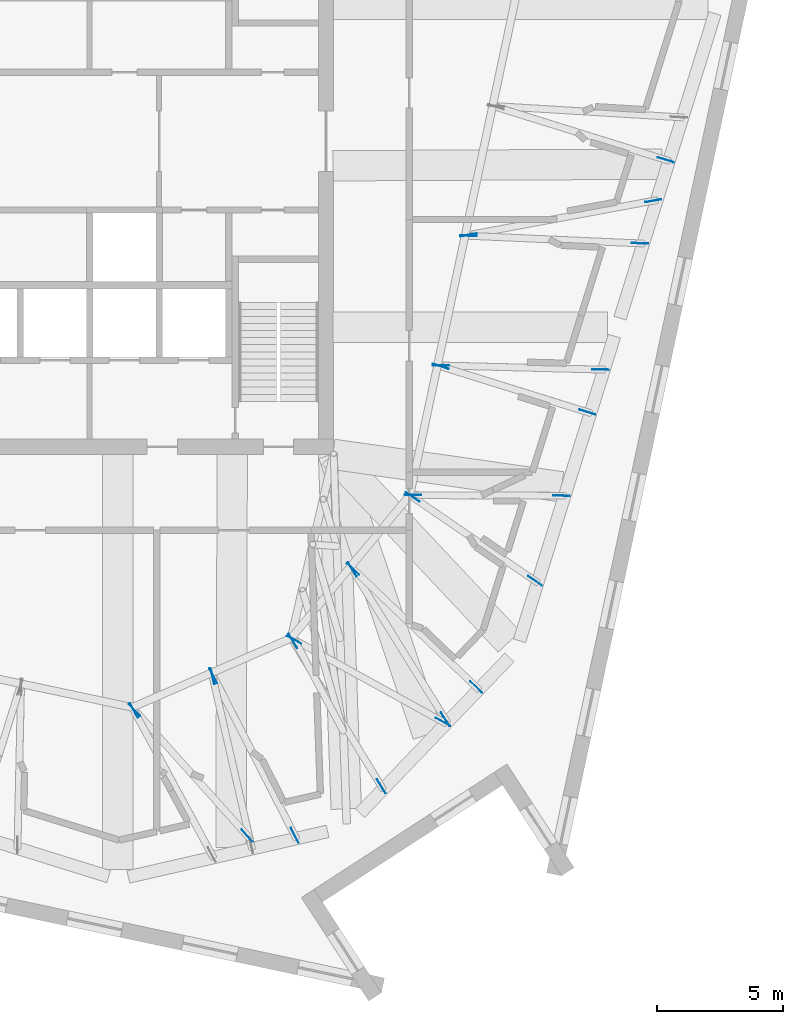
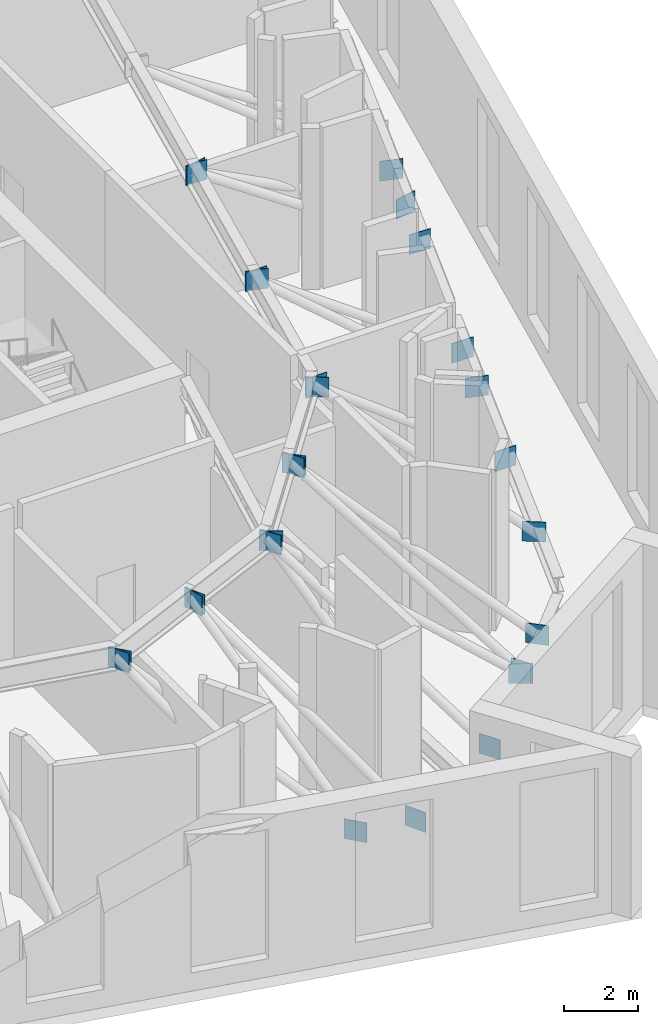
# One storey, part 15 of 19: 27 discrete accessories.
"""IFC4 building model written with IfcOpenShell, lengths in metres."""

from ifc_helpers import new_model, si_unit, direction, frame, origin, origin_2d, place, context, subcontext, project, spatial, rectangle, extrude, material, layer, layer_set, type_object, element, save


model = new_model("IFC4")

# Units and contexts
model_context = context("Model", 3, precision=1e-05, world=origin(), true_north=direction((0.0, 1.0)))
body_context = subcontext(model_context, "Body", "Model", "MODEL_VIEW")
ifc_project = project(units=[si_unit("LENGTHUNIT", "METRE"), si_unit("AREAUNIT", "SQUARE_METRE"), si_unit("VOLUMEUNIT", "CUBIC_METRE"), si_unit("PLANEANGLEUNIT", "RADIAN"), si_unit("MASSUNIT", "GRAM", prefix="KILO")], contexts=[model_context])

# Site, building, storey
site_placement = place(None, origin())
site = spatial("IfcSite", under=ifc_project, at=site_placement, CompositionType="ELEMENT")
building_placement = place(site_placement, origin())
building = spatial("IfcBuilding", under=site, at=building_placement, Name="Dilmun Exchange Tower", CompositionType="ELEMENT")
storey_placement = place(building_placement, frame((0.0, 0.0, 344.5)))
storey = spatial("IfcBuildingStorey", under=building, at=storey_placement, Name="L82", CompositionType="ELEMENT", Elevation=344.5)

# Discrete accessories
ifc_material = material(Name="Steel S355J2", Category="steel")
ifc_layer = layer(ifc_material, 0.02001953125)
ifc_layer_set = layer_set([ifc_layer], Name="Steel S355J2")
discrete_accessory_type = type_object("IfcDiscreteAccessoryType", Name="Gusset plate 20 x 650 x 650", PredefinedType="BRACKET", material=ifc_layer_set)
for number, where, z_axis, x_axis, name in (
    (1, (4.50048828125, -22.52978515625, 4.475830078125), (0.0, 0.0, 1.0), (0.4748717498, -0.88005501035, 0.0), "Gusset plate L82-DG29 end 1"),
    (2, (4.52880859375, -22.514404296875, 4.481689453125), (0.0, 0.0, 1.0), (0.667494728856, -0.744614522386, 0.0), "Gusset plate L82-DG30 end 1"),
    (3, (8.98779296875, -27.488525390625, 0.2861328125), (0.0, 0.0, 1.0), (0.667494728856, -0.744614522386, 0.0), "Gusset plate L82-DG30 end 2"),
    (4, (7.611328125, -21.173828125, 4.4794921875), (0.0, 0.0, 1.0), (0.223042554886, -0.974808708778, 0.0), "Gusset plate L82-DG31 end 1"),
    (5, (7.6435546875, -21.163330078125, 4.4814453125), (0.0, 0.0, 1.0), (0.454514489796, -0.890739343784, 0.0), "Gusset plate L82-DG32 end 1"),
    (6, (10.8662109375, -27.479248046875, 0.01171875), (0.0, 0.0, 1.0), (0.454514489796, -0.890739343784, 0.0), "Gusset plate L82-DG32 end 2"),
    (7, (10.843505859375, -19.7353515625, 4.478271484375), (0.0, 0.0, 1.0), (0.875575000898, -0.483082206051, 0.0), "Gusset plate L82-DG33 end 1"),
    (8, (16.734130859375, -22.985595703125, 0.014892578125), (0.0, 0.0, 1.0), (0.875575000898, -0.483082206051, 0.0), "Gusset plate L82-DG33 end 2"),
    (9, (10.79541015625, -19.78564453125, 4.478271484375), (0.0, 0.0, 1.0), (0.519617535024, -0.854398980158, 0.0), "Gusset plate L82-DG34 end 1"),
    (10, (14.291259765625, -25.533935546875, 0.014892578125), (0.0, 0.0, 1.0), (0.519617535024, -0.854398980158, 0.0), "Gusset plate L82-DG34 end 2"),
    (11, (13.17236328125, -16.935302734375, 4.478515625), (0.0, 0.0, 1.0), (0.721876187669, -0.692022232069, 0.0), "Gusset plate L82-DG35 end 1"),
    (12, (18.04736328125, -21.60888671875, 0.0146484375), (0.0, 0.0, 1.0), (0.721876187669, -0.692022232069, 0.0), "Gusset plate L82-DG35 end 2"),
    (13, (13.146728515625, -16.957763671875, 4.48046875), (0.0, 0.0, 1.0), (0.527506005084, -0.849551301924, 0.0), "Gusset plate L82-DG36 end 1"),
    (14, (16.827392578125, -22.8857421875, 0.0126953125), (0.0, 0.0, 1.0), (0.527506005084, -0.849551301924, 0.0), "Gusset plate L82-DG36 end 2"),
    (15, (15.553466796875, -14.013427734375, 4.469970703125), (0.0, 0.0, 1.0), (0.999992768329, -0.003803063273, 0.0), "Gusset plate L82-DG37 end 1"),
    (16, (21.420166015625, -14.035888671875, 0.023193359375), (0.0, 0.0, 1.0), (0.999992768329, -0.003803063273, 0.0), "Gusset plate L82-DG37 end 2"),
    (17, (15.531005859375, -14.086181640625, 4.469970703125), (0.0, 0.0, 1.0), (0.825160825948, -0.564897876896, 0.0), "Gusset plate L82-DG38 end 1"),
    (18, (20.371826171875, -17.400146484375, 0.023193359375), (0.0, 0.0, 1.0), (0.825160825948, -0.564897876896, 0.0), "Gusset plate L82-DG38 end 2"),
    (19, (16.640625, -8.91650390625, 4.47216796875), (0.0, 0.0, 1.0), (0.95472705725, -0.297483186341, 0.0), "Gusset plate L82-DG39 end 1"),
    (20, (22.444091796875, -10.724853515625, 0.02099609375), (0.0, 0.0, 1.0), (0.95472705725, -0.297483186341, 0.0), "Gusset plate L82-DG39 end 2"),
    (21, (16.648193359375, -8.880859375, 4.474365234375), (0.0, 0.0, 1.0), (0.999675889734, -0.02545811236, 0.0), "Gusset plate L82-DG40 end 1"),
    (22, (22.971923828125, -9.0419921875, 0.0185546875), (0.0, 0.0, 1.0), (0.999675889734, -0.02545811236, 0.0), "Gusset plate L82-DG40 end 2"),
    (23, (17.74267578125, -3.748046875, 4.478759765625), (0.0, 0.0, 1.0), (0.999020463052, -0.044250586464, 0.0), "Gusset plate L82-DG41 end 1"),
    (24, (24.5244140625, -4.04833984375, 0.014404296875), (0.0, 0.0, 1.0), (0.999020463052, -0.044250586464, 0.0), "Gusset plate L82-DG41 end 2"),
    (25, (17.743896484375, -3.716552734375, 4.484130859375), (0.0, 0.0, 1.0), (0.983262858153, 0.18219262273, 0.0), "Gusset plate L82-DG42 end 1"),
    (26, (25.05859375, -2.361328125, 0.0087890625), (0.0, 0.0, 1.0), (0.983262858153, 0.18219262273, 0.0), "Gusset plate L82-DG42 end 2"),
    (27, (25.548583984375, -0.74169921875, 0.01220703125), (0.0, 0.0, 1.0), (0.954720826567, -0.297503182032, 0.0), "Gusset plate L82-DG43 end 2"),
):
    element("IfcDiscreteAccessory", number, at=place(storey_placement, frame(where, z_axis=z_axis, x_axis=x_axis)), inside=storey, type_object=discrete_accessory_type, Name=name, PredefinedType="BRACKET", context=body_context, shape_type="SweptSolid", body=[
        extrude(rectangle(XDim=0.64990234375, YDim=0.02001953125, at=origin_2d()), origin(), (0.0, 0.0, 1.0), 0.64990234375),
    ])

save(model, "model.ifc")
